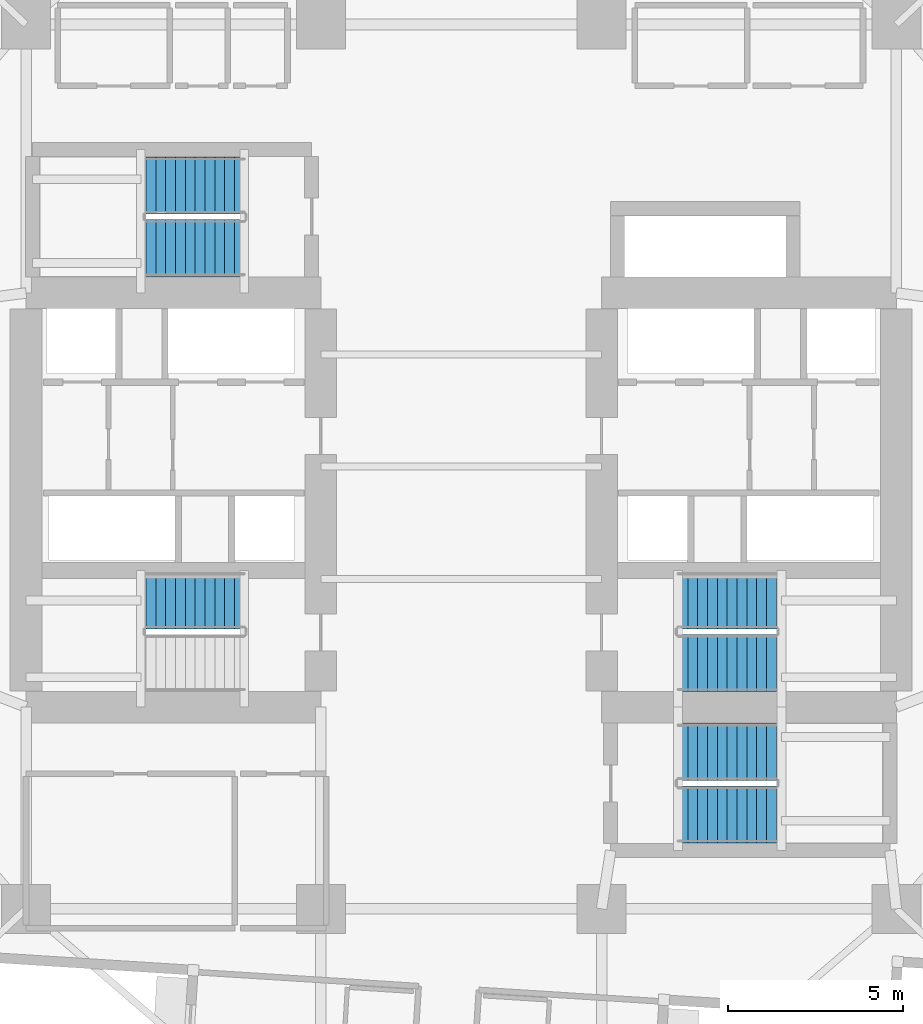
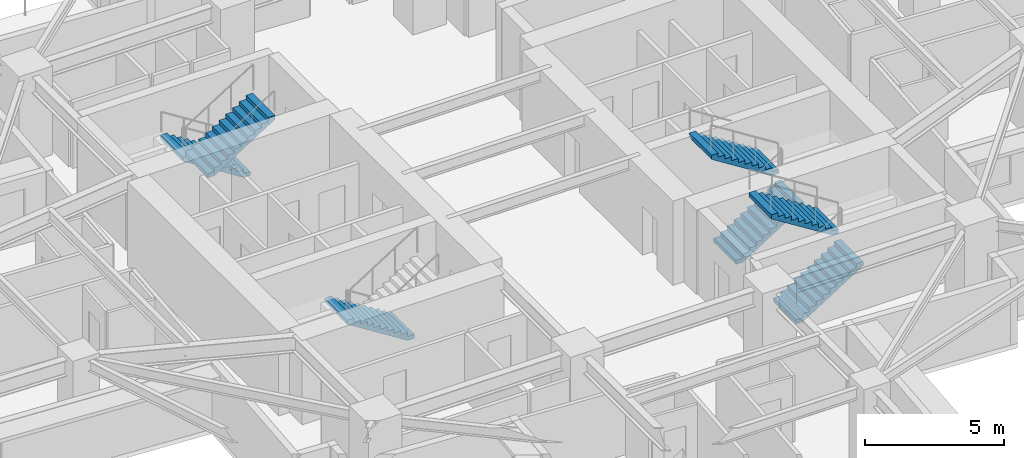
# One storey, part 9 of 14: 7 stair flights, 4 elements without a shape of their own.
"""IFC4 building model written with IfcOpenShell, lengths in metres."""

from ifc_helpers import new_model, si_unit, direction, frame, origin, place, context, subcontext, project, spatial, polyline, outline, extrude, material, layer, layer_set, type_object, element, aggregate, save


model = new_model("IFC4")

# Units and contexts
model_context = context("Model", 3, precision=1e-05, world=origin(), true_north=direction((0.0, 1.0)))
body_context = subcontext(model_context, "Body", "Model", "MODEL_VIEW")
ifc_project = project(units=[si_unit("LENGTHUNIT", "METRE"), si_unit("AREAUNIT", "SQUARE_METRE"), si_unit("VOLUMEUNIT", "CUBIC_METRE"), si_unit("PLANEANGLEUNIT", "RADIAN"), si_unit("MASSUNIT", "GRAM", prefix="KILO")], contexts=[model_context])

# Site, building, storey
site_placement = place(None, origin())
site = spatial("IfcSite", under=ifc_project, at=site_placement, CompositionType="ELEMENT")
building_placement = place(site_placement, origin())
building = spatial("IfcBuilding", under=site, at=building_placement, Name="Qingluan Cross Belvedere", CompositionType="ELEMENT")
storey_placement = place(building_placement, frame((0.0, 0.0, 87.300048828125)))
storey = spatial("IfcBuildingStorey", under=building, at=storey_placement, Name="L22", CompositionType="ELEMENT", Elevation=87.300048828125)

# Stair, stair flight
ifc_material_1 = material(Name="Concrete C40", Category="concrete")
stair_type = type_object("IfcStairType", Name="CoreDoglegStair_1620", PredefinedType="HALF_TURN_STAIR", material=ifc_material_1)
stair_1_placement = place(storey_placement, origin())
stair_1 = element("IfcStair", 1, at=stair_1_placement, inside=storey, type_object=stair_type, Name="L22 ST1", PredefinedType="HALF_TURN_STAIR")
ifc_material_2 = material(Name="Concrete C40", Category="concrete")
ifc_layer = layer(ifc_material_2, 0.179931640625, Name="StairFlight_RC180")
ifc_layer_set = layer_set([ifc_layer], Name="Concrete C40")
stair_flight_type = type_object("IfcStairFlightType", Name="StairFlight_RC180", PredefinedType="STRAIGHT", material=ifc_layer_set)
stair_flight_1_placement = place(storey_placement, frame((-6.179931640625, -3.81005859375, 0.0), z_axis=(0.0, 0.0, 1.0), x_axis=(-1.0, 0.0, 0.0)))
stair_flight_1 = element("IfcStairFlight", 2, at=stair_flight_1_placement, type_object=stair_flight_type, Name="ST1 flight 1", NumberOfRisers=11, NumberOfTreads=10, PredefinedType="STRAIGHT", RiserHeight=0.177272727, TreadLength=0.28, context=body_context, shape_type="SweptSolid", body=[
    extrude(outline(polyline([(0.0, 0.0), (0.0, 0.17724609375), (0.280029296875, 0.17724609375), (0.280029296875, 0.3544921875), (0.56005859375, 0.3544921875), (0.56005859375, 0.53173828125), (0.840087890625, 0.53173828125), (0.840087890625, 0.708984375), (1.1201171875, 0.708984375), (1.1201171875, 0.886474609375), (1.39990234375, 0.886474609375), (1.39990234375, 1.063720703125), (1.679931640625, 1.063720703125), (1.679931640625, 1.240966796875), (1.9599609375, 1.240966796875), (1.9599609375, 1.418212890625), (2.239990234375, 1.418212890625), (2.239990234375, 1.595458984375), (2.52001953125, 1.595458984375), (2.52001953125, 1.772705078125), (2.800048828125, 1.772705078125), (2.800048828125, 1.949951171875), (2.800048828125, 1.59521484375), (0.2802734375, 0.0), (0.0, 0.0)])), frame((0.0, 0.81005859375, 0.0), z_axis=(0.0, -1.0, 0.0), x_axis=(1.0, 0.0, 0.0)), (0.0, 0.0, 1.0), 1.6201171875),
])
aggregate(stair_1, [stair_flight_1])

# Stair, stair flights
stair_2_placement = place(storey_placement, origin())
stair_2 = element("IfcStair", 3, at=stair_2_placement, inside=storey, type_object=stair_type, Name="L22 ST2", PredefinedType="HALF_TURN_STAIR")
stair_flight_2_placement = place(storey_placement, frame((6.179931640625, -5.590087890625, 0.0), z_axis=(0.0, 0.0, 1.0), x_axis=(1.0, 0.0, 0.0)))
stair_flight_2 = element("IfcStairFlight", 4, at=stair_flight_2_placement, type_object=stair_flight_type, Name="ST2 flight 1", NumberOfRisers=11, NumberOfTreads=10, PredefinedType="STRAIGHT", RiserHeight=0.177272727, TreadLength=0.28, context=body_context, shape_type="SweptSolid", body=[
    extrude(outline(polyline([(0.0, 0.0), (0.0, 0.17724609375), (0.280029296875, 0.17724609375), (0.280029296875, 0.3544921875), (0.56005859375, 0.3544921875), (0.56005859375, 0.53173828125), (0.840087890625, 0.53173828125), (0.840087890625, 0.708984375), (1.1201171875, 0.708984375), (1.1201171875, 0.886474609375), (1.39990234375, 0.886474609375), (1.39990234375, 1.063720703125), (1.679931640625, 1.063720703125), (1.679931640625, 1.240966796875), (1.9599609375, 1.240966796875), (1.9599609375, 1.418212890625), (2.239990234375, 1.418212890625), (2.239990234375, 1.595458984375), (2.52001953125, 1.595458984375), (2.52001953125, 1.772705078125), (2.800048828125, 1.772705078125), (2.800048828125, 1.949951171875), (2.800048828125, 1.59521484375), (0.2802734375, 0.0), (0.0, 0.0)])), frame((0.0, 0.81005859375, 0.0), z_axis=(0.0, -1.0, 0.0), x_axis=(1.0, 0.0, 0.0)), (0.0, 0.0, 1.0), 1.6201171875),
])
stair_flight_3_placement = place(storey_placement, frame((8.97998046875, -3.81005859375, 1.949951171875), z_axis=(0.0, 0.0, 1.0), x_axis=(-1.0, 0.0, 0.0)))
stair_flight_3 = element("IfcStairFlight", 5, at=stair_flight_3_placement, type_object=stair_flight_type, Name="ST2 flight 2", NumberOfRisers=11, NumberOfTreads=10, PredefinedType="STRAIGHT", RiserHeight=0.177272727, TreadLength=0.28, context=body_context, shape_type="SweptSolid", body=[
    extrude(outline(polyline([(0.0, 0.0), (0.0, 0.17724609375), (0.280029296875, 0.17724609375), (0.280029296875, 0.3544921875), (0.56005859375, 0.3544921875), (0.56005859375, 0.53173828125), (0.840087890625, 0.53173828125), (0.840087890625, 0.708984375), (1.1201171875, 0.708984375), (1.1201171875, 0.886474609375), (1.39990234375, 0.886474609375), (1.39990234375, 1.063720703125), (1.679931640625, 1.063720703125), (1.679931640625, 1.240966796875), (1.9599609375, 1.240966796875), (1.9599609375, 1.418212890625), (2.239990234375, 1.418212890625), (2.239990234375, 1.595458984375), (2.52001953125, 1.595458984375), (2.52001953125, 1.772705078125), (2.800048828125, 1.772705078125), (2.800048828125, 1.949951171875), (2.800048828125, 1.59521484375), (0.2802734375, 0.0), (0.0, 0.0)])), frame((0.0, 0.81005859375, 0.0), z_axis=(0.0, -1.0, 0.0), x_axis=(1.0, 0.0, 0.0)), (0.0, 0.0, 1.0), 1.6201171875),
])
aggregate(stair_2, [stair_flight_2, stair_flight_3])

stair_3_placement = place(storey_placement, origin())
stair_3 = element("IfcStair", 6, at=stair_3_placement, inside=storey, type_object=stair_type, Name="L22 ST3", PredefinedType="HALF_TURN_STAIR")
stair_flight_4_placement = place(storey_placement, frame((-6.179931640625, 8.010009765625, 0.0), z_axis=(0.0, 0.0, 1.0), x_axis=(-1.0, 0.0, 0.0)))
stair_flight_4 = element("IfcStairFlight", 7, at=stair_flight_4_placement, type_object=stair_flight_type, Name="ST3 flight 1", NumberOfRisers=11, NumberOfTreads=10, PredefinedType="STRAIGHT", RiserHeight=0.177272727, TreadLength=0.28, context=body_context, shape_type="SweptSolid", body=[
    extrude(outline(polyline([(0.0, 0.0), (0.0, 0.17724609375), (0.280029296875, 0.17724609375), (0.280029296875, 0.3544921875), (0.56005859375, 0.3544921875), (0.56005859375, 0.53173828125), (0.840087890625, 0.53173828125), (0.840087890625, 0.708984375), (1.1201171875, 0.708984375), (1.1201171875, 0.886474609375), (1.39990234375, 0.886474609375), (1.39990234375, 1.063720703125), (1.679931640625, 1.063720703125), (1.679931640625, 1.240966796875), (1.9599609375, 1.240966796875), (1.9599609375, 1.418212890625), (2.239990234375, 1.418212890625), (2.239990234375, 1.595458984375), (2.52001953125, 1.595458984375), (2.52001953125, 1.772705078125), (2.800048828125, 1.772705078125), (2.800048828125, 1.949951171875), (2.800048828125, 1.59521484375), (0.2802734375, 0.0), (0.0, 0.0)])), frame((0.0, 0.81005859375, 0.0), z_axis=(0.0, -1.0, 0.0), x_axis=(1.0, 0.0, 0.0)), (0.0, 0.0, 1.0), 1.6201171875),
])
stair_flight_5_placement = place(storey_placement, frame((-8.97998046875, 6.22998046875, 1.949951171875), z_axis=(0.0, 0.0, 1.0), x_axis=(1.0, 0.0, 0.0)))
stair_flight_5 = element("IfcStairFlight", 8, at=stair_flight_5_placement, type_object=stair_flight_type, Name="ST3 flight 2", NumberOfRisers=11, NumberOfTreads=10, PredefinedType="STRAIGHT", RiserHeight=0.177272727, TreadLength=0.28, context=body_context, shape_type="SweptSolid", body=[
    extrude(outline(polyline([(0.0, 0.0), (0.0, 0.17724609375), (0.280029296875, 0.17724609375), (0.280029296875, 0.3544921875), (0.56005859375, 0.3544921875), (0.56005859375, 0.53173828125), (0.840087890625, 0.53173828125), (0.840087890625, 0.708984375), (1.1201171875, 0.708984375), (1.1201171875, 0.886474609375), (1.39990234375, 0.886474609375), (1.39990234375, 1.063720703125), (1.679931640625, 1.063720703125), (1.679931640625, 1.240966796875), (1.9599609375, 1.240966796875), (1.9599609375, 1.418212890625), (2.239990234375, 1.418212890625), (2.239990234375, 1.595458984375), (2.52001953125, 1.595458984375), (2.52001953125, 1.772705078125), (2.800048828125, 1.772705078125), (2.800048828125, 1.949951171875), (2.800048828125, 1.59521484375), (0.2802734375, 0.0), (0.0, 0.0)])), frame((0.0, 0.81005859375, 0.0), z_axis=(0.0, -1.0, 0.0), x_axis=(1.0, 0.0, 0.0)), (0.0, 0.0, 1.0), 1.6201171875),
])
aggregate(stair_3, [stair_flight_4, stair_flight_5])

stair_4_placement = place(storey_placement, origin())
stair_4 = element("IfcStair", 9, at=stair_4_placement, inside=storey, type_object=stair_type, Name="L22 ST4", PredefinedType="HALF_TURN_STAIR")
stair_flight_6_placement = place(storey_placement, frame((6.179931640625, -9.909912109375, 0.0), z_axis=(0.0, 0.0, 1.0), x_axis=(1.0, 0.0, 0.0)))
stair_flight_6 = element("IfcStairFlight", 10, at=stair_flight_6_placement, type_object=stair_flight_type, Name="ST4 flight 1", NumberOfRisers=11, NumberOfTreads=10, PredefinedType="STRAIGHT", RiserHeight=0.177272727, TreadLength=0.28, context=body_context, shape_type="SweptSolid", body=[
    extrude(outline(polyline([(0.0, 0.0), (0.0, 0.17724609375), (0.280029296875, 0.17724609375), (0.280029296875, 0.3544921875), (0.56005859375, 0.3544921875), (0.56005859375, 0.53173828125), (0.840087890625, 0.53173828125), (0.840087890625, 0.708984375), (1.1201171875, 0.708984375), (1.1201171875, 0.886474609375), (1.39990234375, 0.886474609375), (1.39990234375, 1.063720703125), (1.679931640625, 1.063720703125), (1.679931640625, 1.240966796875), (1.9599609375, 1.240966796875), (1.9599609375, 1.418212890625), (2.239990234375, 1.418212890625), (2.239990234375, 1.595458984375), (2.52001953125, 1.595458984375), (2.52001953125, 1.772705078125), (2.800048828125, 1.772705078125), (2.800048828125, 1.949951171875), (2.800048828125, 1.59521484375), (0.2802734375, 0.0), (0.0, 0.0)])), frame((0.0, 0.81005859375, 0.0), z_axis=(0.0, -1.0, 0.0), x_axis=(1.0, 0.0, 0.0)), (0.0, 0.0, 1.0), 1.6201171875),
])
stair_flight_7_placement = place(storey_placement, frame((8.97998046875, -8.1298828125, 1.949951171875), z_axis=(0.0, 0.0, 1.0), x_axis=(-1.0, 0.0, 0.0)))
stair_flight_7 = element("IfcStairFlight", 11, at=stair_flight_7_placement, type_object=stair_flight_type, Name="ST4 flight 2", NumberOfRisers=11, NumberOfTreads=10, PredefinedType="STRAIGHT", RiserHeight=0.177272727, TreadLength=0.28, context=body_context, shape_type="SweptSolid", body=[
    extrude(outline(polyline([(0.0, 0.0), (0.0, 0.17724609375), (0.280029296875, 0.17724609375), (0.280029296875, 0.3544921875), (0.56005859375, 0.3544921875), (0.56005859375, 0.53173828125), (0.840087890625, 0.53173828125), (0.840087890625, 0.708984375), (1.1201171875, 0.708984375), (1.1201171875, 0.886474609375), (1.39990234375, 0.886474609375), (1.39990234375, 1.063720703125), (1.679931640625, 1.063720703125), (1.679931640625, 1.240966796875), (1.9599609375, 1.240966796875), (1.9599609375, 1.418212890625), (2.239990234375, 1.418212890625), (2.239990234375, 1.595458984375), (2.52001953125, 1.595458984375), (2.52001953125, 1.772705078125), (2.800048828125, 1.772705078125), (2.800048828125, 1.949951171875), (2.800048828125, 1.59521484375), (0.2802734375, 0.0), (0.0, 0.0)])), frame((0.0, 0.81005859375, 0.0), z_axis=(0.0, -1.0, 0.0), x_axis=(1.0, 0.0, 0.0)), (0.0, 0.0, 1.0), 1.6201171875),
])
aggregate(stair_4, [stair_flight_6, stair_flight_7])

save(model, "model.ifc")
